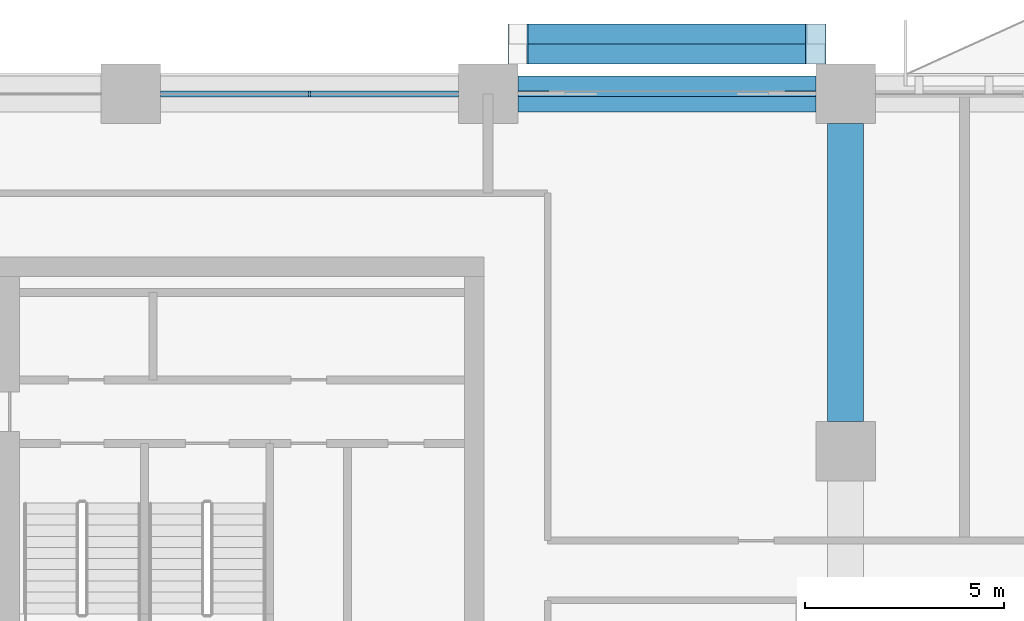
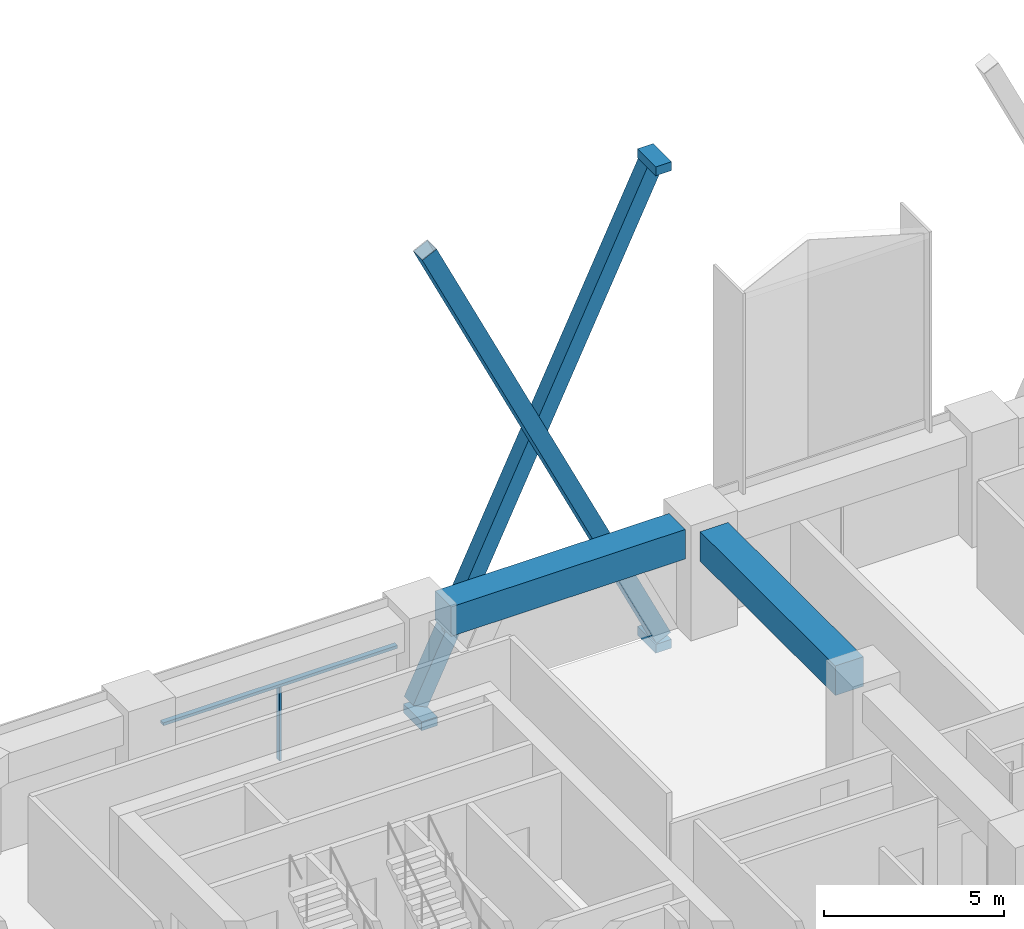
# One storey, part 4 of 14: 8 members, 2 beams, 2 elements without a shape of their own.
"""IFC4 building model written with IfcOpenShell, lengths in metres."""

import ifcopenshell
import ifcopenshell.guid

model = None  # the IFC model being written
_history = None  # IfcOwnerHistory: only IFC2X3 demands one
_inside = {}  # id of a spatial element -> (the spatial element, [elements in it])
_under = {}  # id of a project, library or spatial element -> (it, [spatial elements below it])
_declared = {}  # id of a project -> (the project, [libraries it declares])
_typed = {}  # id of a type object -> (the type object, [elements of that type])
_made_of = {}  # id of a material, layer set ... -> (it, [elements and type objects made of it])


def new_model(schema):
    """Start an empty IFC model of exactly this schema.

    Asked for "IFC4X3", IfcOpenShell would pick the latest addendum, in which some entities
    have other attributes; the version numbers below select the first issue.
    IFC2X3 requires an IfcOwnerHistory on every rooted entity: one is made here for all.
    """
    global model, _history
    if schema == "IFC4X3":
        model = ifcopenshell.file(schema_version=(4, 3, 0, 0))
    else:
        model = ifcopenshell.file(schema=schema)
    _inside.clear()
    _under.clear()
    _declared.clear()
    _typed.clear()
    _made_of.clear()
    _history = None
    if model.schema == "IFC2X3":
        org = make("IfcOrganization", Name="unknown")
        user = make(
            "IfcPersonAndOrganization",
            ThePerson=make("IfcPerson", FamilyName="unknown"),
            TheOrganization=org,
        )
        app = make(
            "IfcApplication",
            ApplicationDeveloper=org,
            Version="unknown",
            ApplicationFullName="unknown",
            ApplicationIdentifier="unknown",
        )
        _history = make(
            "IfcOwnerHistory",
            OwningUser=user,
            OwningApplication=app,
            ChangeAction="ADDED",
            CreationDate=0,
        )
    return model


def make(cls, **values):
    """One entity of the class cls with the attributes given. An attribute that is None is left unset."""
    return model.create_entity(
        cls, **{name: value for name, value in values.items() if value is not None}
    )


def rooted(cls, **values):
    """An entity with a GlobalId (a new one), such as an element, a storey or a relation."""
    return make(cls, GlobalId=ifcopenshell.guid.new(), OwnerHistory=_history, **values)


def si_unit(unit_type, name, prefix=None):
    """IfcSIUnit, for example si_unit("LENGTHUNIT", "METRE", prefix="MILLI")."""
    return make("IfcSIUnit", UnitType=unit_type, Prefix=prefix, Name=name)


def assignment(units):
    """IfcUnitAssignment: the units of a project."""
    return None if units is None else make("IfcUnitAssignment", Units=units)


def point(xyz):
    """IfcCartesianPoint."""
    return None if xyz is None else make("IfcCartesianPoint", Coordinates=xyz)


def direction(xyz):
    """IfcDirection."""
    return None if xyz is None else make("IfcDirection", DirectionRatios=xyz)


def frame(location, z_axis=None, x_axis=None):
    """IfcAxis2Placement3D, a coordinate frame: its origin and axes. An axis left out is left unset."""
    return make(
        "IfcAxis2Placement3D",
        Location=point(location),
        Axis=direction(z_axis),
        RefDirection=direction(x_axis),
    )


def frame_2d(location, x_axis=None):
    """IfcAxis2Placement2D, a coordinate frame in the plane: its origin and x axis."""
    return make(
        "IfcAxis2Placement2D", Location=point(location), RefDirection=direction(x_axis)
    )


def origin():
    """The frame at (0, 0, 0) with its axes left unset."""
    return frame((0.0, 0.0, 0.0))


def origin_2d():
    """The frame at (0, 0) in the plane with its x axis left unset."""
    return frame_2d((0.0, 0.0))


def place(relative_to, where):
    """IfcLocalPlacement: puts the frame where relative to a parent placement (None: the world)."""
    return make(
        "IfcLocalPlacement", PlacementRelTo=relative_to, RelativePlacement=where
    )


def context(
    kind, dimensions, precision=None, world=None, true_north=None, identifier=None
):
    """IfcGeometricRepresentationContext, for example the 3D "Model" context."""
    return make(
        "IfcGeometricRepresentationContext",
        ContextIdentifier=identifier,
        ContextType=kind,
        CoordinateSpaceDimension=dimensions,
        Precision=precision,
        WorldCoordinateSystem=world,
        TrueNorth=true_north,
    )


def subcontext(parent, identifier, kind, view, scale=None):
    """IfcGeometricRepresentationSubContext, for example "Body" below "Model"."""
    return make(
        "IfcGeometricRepresentationSubContext",
        ContextIdentifier=identifier,
        ContextType=kind,
        ParentContext=parent,
        TargetScale=scale,
        TargetView=view,
    )


def project(units=None, contexts=None):
    """IfcProject with its units and contexts."""
    return rooted(
        "IfcProject",
        Name="project",
        RepresentationContexts=contexts,
        UnitsInContext=assignment(units),
    )


def spatial(cls, under=None, at=None, **own):
    """A site, building, storey or space (cls), placed at a placement, below another one or the project."""
    s = rooted(cls, ObjectPlacement=at, **own)
    if under is not None:
        _under.setdefault(under.id(), (under, []))[1].append(s)
    return s


def profile(cls, at=None, kind="AREA", **sizes):
    """A parametric profile (cls). Its sizes go by their IFC names, for example OverallWidth=200.0."""
    return make(cls, ProfileType=kind, Position=at, **sizes)


def rectangle(**sizes):
    """IfcRectangleProfileDef."""
    return profile("IfcRectangleProfileDef", **sizes)


def hollow_rectangle(**sizes):
    """IfcRectangleHollowProfileDef."""
    return profile("IfcRectangleHollowProfileDef", **sizes)


def extrude(swept, where, along, depth):
    """IfcExtrudedAreaSolid: the profile swept, set in the frame where, extruded along a direction by depth."""
    return make(
        "IfcExtrudedAreaSolid",
        SweptArea=swept,
        Position=where,
        ExtrudedDirection=direction(along),
        Depth=depth,
    )


def shape(context_of_items, identifier, shape_type, items):
    """IfcShapeRepresentation: the items that make up one representation, for example the "Body"."""
    return make(
        "IfcShapeRepresentation",
        ContextOfItems=context_of_items,
        RepresentationIdentifier=identifier,
        RepresentationType=shape_type,
        Items=items,
    )


def material(Name=None, Category=None):
    """IfcMaterial."""
    return make("IfcMaterial", Name=Name, Category=Category)


def layer(
    of_material, thickness, ventilated=None, Name=None, Category=None, Priority=None
):
    """IfcMaterialLayer: one layer of a wall or slab, of a material (None: an air gap)."""
    return make(
        "IfcMaterialLayer",
        Material=of_material,
        LayerThickness=thickness,
        IsVentilated=ventilated,
        Name=Name,
        Category=Category,
        Priority=Priority,
    )


def layer_set(layers, Name=None):
    """IfcMaterialLayerSet."""
    return make("IfcMaterialLayerSet", MaterialLayers=layers, LayerSetName=Name)


def material_profile(
    of_material, cross_section, Name=None, Category=None, Priority=None
):
    """IfcMaterialProfile: a cross section and its material."""
    return make(
        "IfcMaterialProfile",
        Name=Name,
        Material=of_material,
        Profile=cross_section,
        Priority=Priority,
        Category=Category,
    )


def profile_set(profiles, Name=None, composite=None):
    """IfcMaterialProfileSet."""
    return make(
        "IfcMaterialProfileSet",
        Name=Name,
        MaterialProfiles=profiles,
        CompositeProfile=composite,
    )


def made_of(thing, what):
    """Note that an element or type object is made of a material, layer set ...; save() writes the relation."""
    if what is not None:
        _made_of.setdefault(what.id(), (what, []))[1].append(thing)
    return thing


def type_object(cls, material=None, **own):
    """A type object (cls), such as IfcWallType, which elements share."""
    return made_of(rooted(cls, **own), material)


def element(
    cls,
    number,
    at=None,
    inside=None,
    cuts=None,
    type_object=None,
    material=None,
    context=None,
    identifier="Body",
    shape_type=None,
    held_by="IfcProductDefinitionShape",
    body=None,
    shapes=None,
    **own,
):
    """One element of the class cls, such as IfcWall. Its Tag is "e" and its number.

    at: its placement. inside: the storey or other place that contains it. cuts: it is an
    opening in that element (IfcRelVoidsElement). A single representation is given by context,
    identifier, shape_type and body (its items); several are given by shapes. held_by: the class
    of the entity that holds the representations. save() writes the other relations.
    """
    e = rooted(cls, Tag="e%d" % number, ObjectPlacement=at, **own)
    if body is not None:
        shapes = [shape(context, identifier, shape_type, body)]
    if shapes is not None:
        e.Representation = make(held_by, Representations=shapes)
    if inside is not None:
        _inside.setdefault(inside.id(), (inside, []))[1].append(e)
    if cuts is not None:
        rooted(
            "IfcRelVoidsElement", RelatingBuildingElement=cuts, RelatedOpeningElement=e
        )
    if type_object is not None:
        _typed.setdefault(type_object.id(), (type_object, []))[1].append(e)
    return made_of(e, material)


def aggregate(whole, parts):
    """IfcRelAggregates: a whole, such as a stair, and the parts it consists of."""
    return rooted("IfcRelAggregates", RelatingObject=whole, RelatedObjects=parts)


def save(model, path):
    """Write the relations noted so far, then the file.

    IfcRelAggregates (storeys below a building ...), IfcRelContainedInSpatialStructure (elements
    in a storey), IfcRelDefinesByType, IfcRelAssociatesMaterial and IfcRelDeclares: one each for
    every whole, place, type object, material and project.
    """
    for whole, parts in _under.values():
        aggregate(whole, parts)
    for where, things in _inside.values():
        rooted(
            "IfcRelContainedInSpatialStructure",
            RelatedElements=things,
            RelatingStructure=where,
        )
    for kind, things in _typed.values():
        rooted("IfcRelDefinesByType", RelatedObjects=things, RelatingType=kind)
    for what, things in _made_of.values():
        rooted("IfcRelAssociatesMaterial", RelatedObjects=things, RelatingMaterial=what)
    for by, libraries in _declared.values():
        rooted("IfcRelDeclares", RelatingContext=by, RelatedDefinitions=libraries)
    model.write(path)


model = new_model("IFC4")

# Units and contexts
model_context = context("Model", 3, precision=1e-05, world=origin(), true_north=direction((0.0, 1.0)))
body_context = subcontext(model_context, "Body", "Model", "MODEL_VIEW")
ifc_project = project(units=[si_unit("LENGTHUNIT", "METRE"), si_unit("AREAUNIT", "SQUARE_METRE"), si_unit("VOLUMEUNIT", "CUBIC_METRE"), si_unit("PLANEANGLEUNIT", "RADIAN"), si_unit("MASSUNIT", "GRAM", prefix="KILO")], contexts=[model_context])

# Site, building, storey
site_placement = place(None, origin())
site = spatial("IfcSite", under=ifc_project, at=site_placement, CompositionType="ELEMENT")
building_placement = place(site_placement, origin())
building = spatial("IfcBuilding", under=site, at=building_placement, Name="Tessera Arch", CompositionType="ELEMENT")
storey_placement = place(building_placement, frame((0.0, 0.0, 150.5)))
storey = spatial("IfcBuildingStorey", under=building, at=storey_placement, Name="L35", CompositionType="ELEMENT", Elevation=150.5)

# Members
ifc_material_1 = material(Name="Steel A500 Gr C", Category="steel")
ifc_material_profile_1 = material_profile(ifc_material_1, hollow_rectangle(XDim=0.508056640625, YDim=0.508056640625, WallThickness=0.0146484375, at=origin_2d()), Name="HSS20x20x5/8")
ifc_profile_set_1 = profile_set([ifc_material_profile_1], Name="Steel A500 Gr C")
member_type_1 = type_object("IfcMemberType", Name="Brace HSS20x20x5/8 Steel A500 Gr C", PredefinedType="BRACE", material=ifc_profile_set_1)
for number, where, z_axis, x_axis, name in (
    (1, (26.25, 55.00390625, -0.800048828125), (-0.43329223169, 0.0, 0.901253483742), (0.0, -1.0, 0.0), "Brace N54.0-3 A L35-L38"),
    (2, (18.75, 55.511962890625, -0.800048828125), (0.43329223169, 0.0, 0.901253483742), (0.0, 1.0, 0.0), "Brace N54.0-3 B L35-L38"),
):
    element("IfcMember", number, at=place(storey_placement, frame(where, z_axis=z_axis, x_axis=x_axis)), inside=storey, type_object=member_type_1, Name=name, PredefinedType="BRACE", context=body_context, shape_type="SweptSolid", body=[
        extrude(hollow_rectangle(XDim=0.508056640625, YDim=0.508056640625, WallThickness=0.0146484375, at=origin_2d()), origin(), (0.0, 0.0, 1.0), 17.309326171875),
    ])

# Curtain wall, members
ifc_material_2 = material(Name="CW1 curtain wall")
curtain_wall_type_1 = type_object("IfcCurtainWallType", Name="CW1 curtain wall", PredefinedType="NOTDEFINED", material=ifc_material_2)
curtain_wall_1_placement = place(storey_placement, origin())
curtain_wall_1 = element("IfcCurtainWall", 3, at=curtain_wall_1_placement, inside=storey, type_object=curtain_wall_type_1, Name="CW1 curtain wall N54.0/4 L35", PredefinedType="NOTDEFINED")
ifc_material_3 = material(Name="Anodised aluminium pale metal", Category="aluminium")
ifc_material_profile_2 = material_profile(ifc_material_3, rectangle(XDim=0.159912109375, YDim=0.06005859375, at=origin_2d()), Name="AL 60x160")
ifc_profile_set_2 = profile_set([ifc_material_profile_2], Name="Anodised aluminium pale metal")
member_type_2 = type_object("IfcMemberType", Name="CW1 mullion", PredefinedType="MULLION", material=ifc_profile_set_2)
member_1_placement = place(storey_placement, frame((13.5, 54.0, 0.0), z_axis=(0.0, 0.0, 1.0), x_axis=(0.0, -1.0, 0.0)))
member_1 = element("IfcMember", 4, at=member_1_placement, type_object=member_type_2, Name="CW1 mullion N54.0/4 1", PredefinedType="MULLION", context=body_context, shape_type="SweptSolid", body=[
    extrude(rectangle(XDim=0.159912109375, YDim=0.06005859375, at=origin_2d()), origin(), (0.0, 0.0, 1.0), 2.5),
])
ifc_material_4 = material(Name="Anodised aluminium pale metal", Category="aluminium")
ifc_material_profile_3 = material_profile(ifc_material_4, rectangle(XDim=0.159912109375, YDim=0.10009765625, at=origin_2d()), Name="AL 160x100")
ifc_profile_set_3 = profile_set([ifc_material_profile_3], Name="Anodised aluminium pale metal")
member_type_3 = type_object("IfcMemberType", Name="CW1 transom", PredefinedType="USERDEFINED", material=ifc_profile_set_3)
member_2_placement = place(storey_placement, frame((17.25, 54.0, 2.550048828125), z_axis=(-1.0, 0.0, 0.0), x_axis=(0.0, -1.0, 0.0)))
member_2 = element("IfcMember", 5, at=member_2_placement, type_object=member_type_3, Name="CW1 transom N54.0/4 1.1", ObjectType="TRANSOM", PredefinedType="USERDEFINED", context=body_context, shape_type="SweptSolid", body=[
    extrude(rectangle(XDim=0.159912109375, YDim=0.10009765625, at=origin_2d()), origin(), (0.0, 0.0, 1.0), 7.5),
])
aggregate(curtain_wall_1, [member_1, member_2])

# Curtain wall, member
ifc_material_5 = material(Name="CW3 curtain wall")
curtain_wall_type_2 = type_object("IfcCurtainWallType", Name="CW3 curtain wall", PredefinedType="NOTDEFINED", material=ifc_material_5)
curtain_wall_2_placement = place(storey_placement, origin())
curtain_wall_2 = element("IfcCurtainWall", 6, at=curtain_wall_2_placement, inside=storey, type_object=curtain_wall_type_2, Name="CW3 curtain wall N54.0/3 L35", PredefinedType="NOTDEFINED")
ifc_material_6 = material(Name="Anodised aluminium pale metal", Category="aluminium")
ifc_material_profile_4 = material_profile(ifc_material_6, rectangle(XDim=0.139892578125, YDim=0.10009765625, at=origin_2d()), Name="AL 140x100")
ifc_profile_set_4 = profile_set([ifc_material_profile_4], Name="Anodised aluminium pale metal")
member_type_4 = type_object("IfcMemberType", Name="CW3 transom", PredefinedType="USERDEFINED", material=ifc_profile_set_4)
member_3_placement = place(storey_placement, frame((26.25, 54.0, 2.550048828125), z_axis=(-1.0, 0.0, 0.0), x_axis=(0.0, -1.0, 0.0)))
member_3 = element("IfcMember", 7, at=member_3_placement, type_object=member_type_4, Name="CW3 transom N54.0/3 1.1", ObjectType="TRANSOM", PredefinedType="USERDEFINED", context=body_context, shape_type="SweptSolid", body=[
    extrude(rectangle(XDim=0.139892578125, YDim=0.10009765625, at=origin_2d()), origin(), (0.0, 0.0, 1.0), 7.5),
])
aggregate(curtain_wall_2, [member_3])

# Members
ifc_material_7 = material(Name="Steel A572 Gr50", Category="steel")
ifc_layer = layer(ifc_material_7, 0.050048828125)
ifc_layer_set = layer_set([ifc_layer], Name="Node block Steel A572 Gr50")
member_type_5 = type_object("IfcMemberType", Name="Node block Steel A572 Gr50", PredefinedType="PLATE", material=ifc_layer_set)
for number, where, z_axis, x_axis, name in (
    (8, (18.75, 55.258056640625, -1.232421875), (0.0, 0.0, 1.0), (-1.0, 0.0, 0.0), "Node block seat N54.0-3 1 L35"),
    (9, (26.25, 55.258056640625, -1.232421875), (0.0, 0.0, 1.0), (-1.0, 0.0, 0.0), "Node block seat N54.0-3 2 L35"),
    (10, (26.25, 55.258056640625, 14.9326171875), (0.0, 0.0, 1.0), (-1.0, 0.0, 0.0), "Node block head N54.0-3 B L35"),
):
    element("IfcMember", number, at=place(storey_placement, frame(where, z_axis=z_axis, x_axis=x_axis)), inside=storey, type_object=member_type_5, Name=name, PredefinedType="PLATE", context=body_context, shape_type="SweptSolid", body=[
        extrude(rectangle(XDim=0.508056640625, YDim=1.01611328125, at=origin_2d()), origin(), (0.0, 0.0, 1.0), 0.300048828125),
    ])

# Beams
ifc_material_8 = material(Name="Concrete C70/85", Category="concrete")
ifc_material_profile_5 = material_profile(ifc_material_8, rectangle(XDim=0.89990234375, YDim=1.0, at=origin_2d()), Name="RC spandrel beam 900 x 1000 Concrete C70/85")
ifc_profile_set_5 = profile_set([ifc_material_profile_5], Name="Concrete C70/85")
beam_type = type_object("IfcBeamType", Name="RC spandrel beam 900 x 1000 Concrete C70/85", PredefinedType="BEAM", material=ifc_profile_set_5)
for number, where, z_axis, x_axis, name in (
    (11, (26.25, 54.0, 3.10009765625), (-1.0, 0.0, 0.0), (0.0, -1.0, 0.0), "Spandrel beam L35 N54.0/3"),
    (12, (27.0, 45.75, 3.10009765625), (0.0, 1.0, 0.0), (-1.0, 0.0, 0.0), "Interface beam L35 I0C4F-C4G"),
):
    element("IfcBeam", number, at=place(storey_placement, frame(where, z_axis=z_axis, x_axis=x_axis)), inside=storey, type_object=beam_type, Name=name, PredefinedType="BEAM", context=body_context, shape_type="SweptSolid", body=[
        extrude(rectangle(XDim=0.89990234375, YDim=1.0, at=origin_2d()), origin(), (0.0, 0.0, 1.0), 7.5),
    ])

save(model, "model.ifc")
